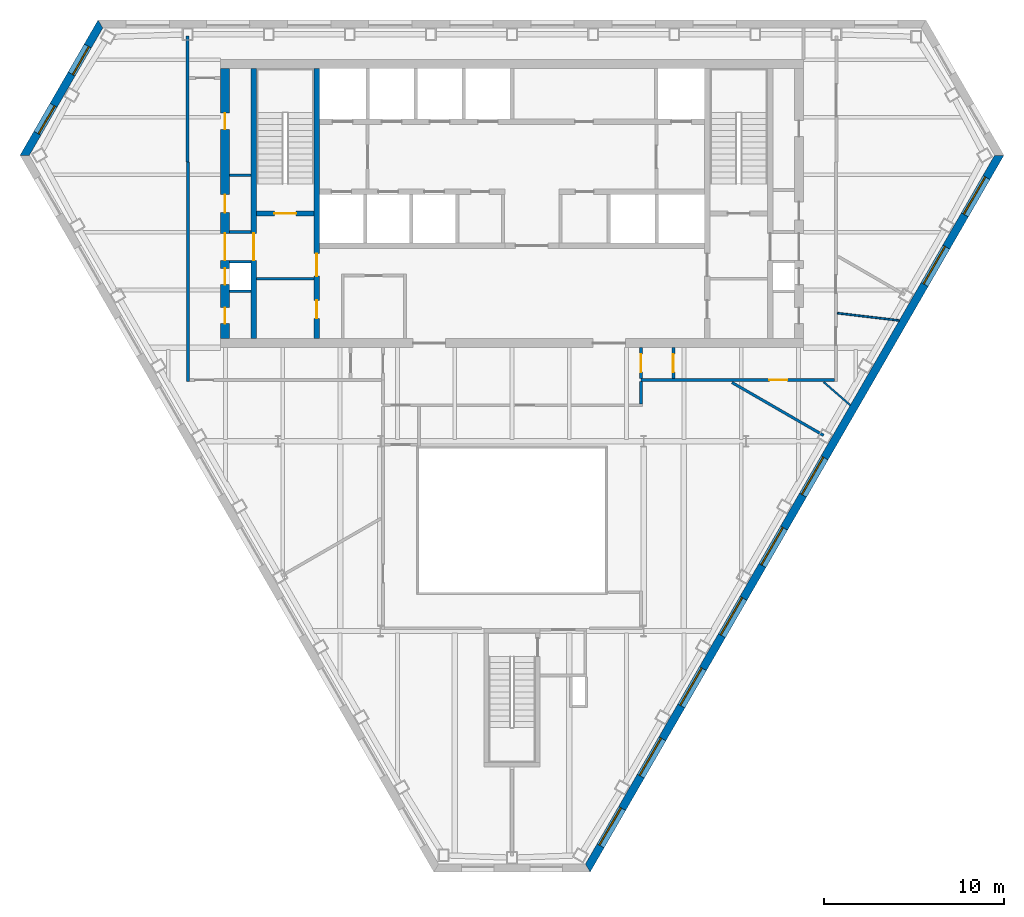
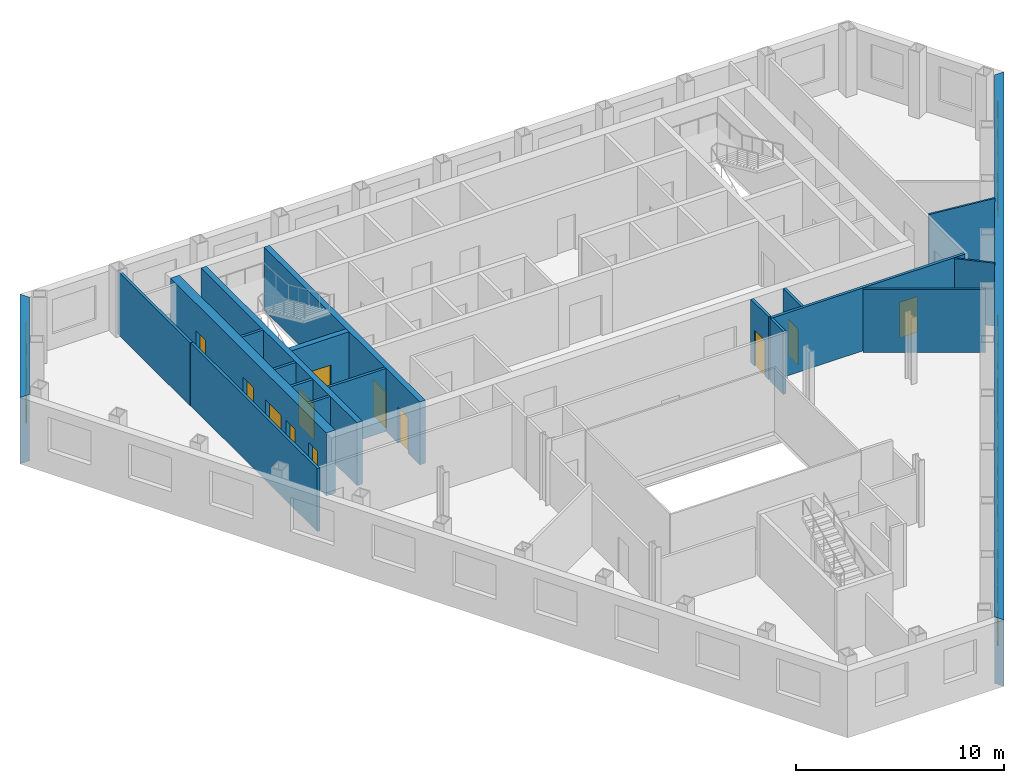
# One storey, part 5 of 10: 20 walls, 12 doors, 10 windows, 22 openings.
"""IFC4 building model written with IfcOpenShell, lengths in metres."""

from ifc_helpers import new_model, si_unit, direction, frame, frame_2d, origin, place, context, subcontext, project, spatial, polyline, rectangle, outline, extrude, material, layer, layer_set, type_object, element, fill, save


model = new_model("IFC4")

# Units and contexts
model_context = context("Model", 3, precision=1e-05, world=origin(), true_north=direction((0.0, 1.0)))
body_context = subcontext(model_context, "Body", "Model", "MODEL_VIEW")
ifc_project = project(units=[si_unit("LENGTHUNIT", "METRE"), si_unit("AREAUNIT", "SQUARE_METRE"), si_unit("VOLUMEUNIT", "CUBIC_METRE"), si_unit("PLANEANGLEUNIT", "RADIAN"), si_unit("MASSUNIT", "GRAM", prefix="KILO")], contexts=[model_context])

# Site, building, storey
site_placement = place(None, origin())
site = spatial("IfcSite", under=ifc_project, at=site_placement, CompositionType="ELEMENT")
building_placement = place(site_placement, origin())
building = spatial("IfcBuilding", under=site, at=building_placement, Name="Njiva Tower", CompositionType="ELEMENT")
storey_placement = place(building_placement, frame((0.0, 0.0, 155.4)))
storey = spatial("IfcBuildingStorey", under=building, at=storey_placement, Name="L33", CompositionType="ELEMENT", Elevation=155.4)

# Walls
ifc_material_1 = material(Name="Blockwork", Category="masonry")
ifc_layer_1 = layer(ifc_material_1, 0.15)
ifc_layer_set_1 = layer_set([ifc_layer_1], Name="Blockwork")
wall_type_1 = type_object("IfcWallType", Name="WT1 Compartment partition 150", PredefinedType="PARTITIONING", material=ifc_layer_set_1)
wall_1_placement = place(storey_placement, frame((-14.2, 5.825, 0.0), z_axis=(0.0, 0.0, 1.0), x_axis=(1.0, 0.0, 0.0)))
element("IfcWall", 1, at=wall_1_placement, inside=storey, type_object=wall_type_1, Name="Room wall A", PredefinedType="PARTITIONING", context=body_context, shape_type="SweptSolid", body=[
    extrude(rectangle(XDim=3.2, YDim=0.15, at=frame_2d((1.6, 0.0))), origin(), (0.0, 0.0, 1.0), 3.7),
])
wall_2_placement = place(storey_placement, frame((-15.7, 11.5687, 0.0), z_axis=(0.0, 0.0, 1.0), x_axis=(1.0, 0.0, 0.0)))
element("IfcWall", 2, at=wall_2_placement, inside=storey, type_object=wall_type_1, Name="Partition strip W10", PredefinedType="PARTITIONING", context=body_context, shape_type="SweptSolid", body=[
    extrude(rectangle(XDim=1.2, YDim=0.15, at=frame_2d((0.6, 0.0))), origin(), (0.0, 0.0, 1.0), 3.7),
])

# Wall, openings, doors
ifc_material_2 = material(Name="Concrete C40/50", Category="concrete")
ifc_layer_2 = layer(ifc_material_2, 0.3)
ifc_layer_set_2 = layer_set([ifc_layer_2], Name="Concrete C40/50")
wall_type_2 = type_object("IfcWallType", Name="WT10 Stair enclosure wall 300", PredefinedType="SHEAR", material=ifc_layer_set_2)
wall_3_placement = place(storey_placement, frame((-10.85, 2.5, 0.0), z_axis=(0.0, 0.0, 1.0), x_axis=(0.0, 1.0, 0.0)))
wall_3 = element("IfcWall", 3, at=wall_3_placement, inside=storey, type_object=wall_type_2, Name="Stair wall west inner", PredefinedType="SHEAR", context=body_context, shape_type="SweptSolid", body=[
    extrude(rectangle(XDim=15.0, YDim=0.3, at=frame_2d((7.5, 0.0))), origin(), (0.0, 0.0, 1.0), 3.7),
])
opening_1_placement = place(wall_3_placement, frame((3.475, 0.0, 0.0)))
opening_1 = element("IfcOpeningElement", 4, at=opening_1_placement, cuts=wall_3, Name="Opening S11-D914", PredefinedType="OPENING", context=body_context, shape_type="SweptSolid", body=[
    extrude(rectangle(XDim=1.25, YDim=2.1, at=frame_2d((0.625, 1.05))), frame((0.0, 0.16, 0.0), z_axis=(0.0, -1.0, 0.0), x_axis=(1.0, 0.0, 0.0)), (0.0, 0.0, 1.0), 0.32),
])
opening_2_placement = place(wall_3_placement, frame((1.125, 0.0, 0.0)))
opening_2 = element("IfcOpeningElement", 5, at=opening_2_placement, cuts=wall_3, Name="Opening S11-D915", PredefinedType="OPENING", context=body_context, shape_type="SweptSolid", body=[
    extrude(rectangle(XDim=1.0, YDim=2.1, at=frame_2d((0.5, 1.05))), frame((0.0, 0.16, 0.0), z_axis=(0.0, -1.0, 0.0), x_axis=(1.0, 0.0, 0.0)), (0.0, 0.0, 1.0), 0.32),
])
ifc_material_3 = material(Name="Steel door, painted", Category="steel")
door_type_1 = type_object("IfcDoorType", Name="D5 Steel door 1000x2100", OperationType="SINGLE_SWING_LEFT", PredefinedType="DOOR", material=ifc_material_3)
door_1_placement = place(opening_2_placement, origin())
door_1 = element("IfcDoor", 6, at=door_1_placement, inside=storey, type_object=door_type_1, Name="Breakout room door", OperationType="SINGLE_SWING_RIGHT", OverallHeight=2.1, OverallWidth=1.0, PredefinedType="DOOR", context=body_context, shape_type="SweptSolid", body=[
    extrude(rectangle(XDim=1.0, YDim=2.1, at=frame_2d((0.5, 1.05))), frame((0.0, 0.025, 0.0), z_axis=(0.0, -1.0, 0.0), x_axis=(1.0, 0.0, 0.0)), (0.0, 0.0, 1.0), 0.05),
])
fill(opening_2, door_1)
ifc_material_4 = material(Name="Glazed steel fire door", Category="steel")
door_type_2 = type_object("IfcDoorType", Name="D8 Vestibule corridor door 1250x2100 glazed", OperationType="SINGLE_SWING_LEFT", PredefinedType="DOOR", material=ifc_material_4)
door_2_placement = place(opening_1_placement, origin())
door_2 = element("IfcDoor", 7, at=door_2_placement, inside=storey, type_object=door_type_2, Name="Stair vestibule corridor door", OperationType="SINGLE_SWING_LEFT", OverallHeight=2.1, OverallWidth=1.25, PredefinedType="DOOR", context=body_context, shape_type="SweptSolid", body=[
    extrude(rectangle(XDim=1.25, YDim=2.1, at=frame_2d((0.625, 1.05))), frame((0.0, 0.025, 0.0), z_axis=(0.0, -1.0, 0.0), x_axis=(1.0, 0.0, 0.0)), (0.0, 0.0, 1.0), 0.05),
])
fill(opening_1, door_2)

# Wall, opening, door
wall_4_placement = place(storey_placement, frame((-14.35, 2.5, 0.0), z_axis=(0.0, 0.0, 1.0), x_axis=(0.0, 1.0, 0.0)))
wall_4 = element("IfcWall", 8, at=wall_4_placement, inside=storey, type_object=wall_type_2, Name="Stair wall west outer", PredefinedType="SHEAR", context=body_context, shape_type="SweptSolid", body=[
    extrude(rectangle(XDim=15.0, YDim=0.3, at=frame_2d((7.5, 0.0))), origin(), (0.0, 0.0, 1.0), 3.7),
])
opening_3_placement = place(wall_4_placement, frame((4.35, 0.0, 0.0)))
opening_3 = element("IfcOpeningElement", 9, at=opening_3_placement, cuts=wall_4, Name="Opening S11-D920", PredefinedType="OPENING", context=body_context, shape_type="SweptSolid", body=[
    extrude(rectangle(XDim=1.5, YDim=2.1, at=frame_2d((0.75, 1.05))), frame((0.0, 0.16, 0.0), z_axis=(0.0, -1.0, 0.0), x_axis=(1.0, 0.0, 0.0)), (0.0, 0.0, 1.0), 0.32),
])
door_type_3 = type_object("IfcDoorType", Name="D10 Exit door double 1500x2100 glazed", OperationType="DOUBLE_DOOR_SINGLE_SWING", PredefinedType="DOOR", material=ifc_material_4)
door_3_placement = place(opening_3_placement, origin())
door_3 = element("IfcDoor", 10, at=door_3_placement, inside=storey, type_object=door_type_3, Name="Stair A passage door", OperationType="DOUBLE_DOOR_SINGLE_SWING", OverallHeight=2.1, OverallWidth=1.5, PredefinedType="DOOR", context=body_context, shape_type="SweptSolid", body=[
    extrude(rectangle(XDim=1.5, YDim=2.1, at=frame_2d((0.75, 1.05))), frame((0.0, 0.025, 0.0), z_axis=(0.0, -1.0, 0.0), x_axis=(1.0, 0.0, 0.0)), (0.0, 0.0, 1.0), 0.05),
])
fill(opening_3, door_3)

wall_5_placement = place(storey_placement, frame((-14.2, 9.45, 0.0), z_axis=(0.0, 0.0, 1.0), x_axis=(1.0, 0.0, 0.0)))
wall_5 = element("IfcWall", 11, at=wall_5_placement, inside=storey, type_object=wall_type_2, Name="Stair A south wall", PredefinedType="SHEAR", context=body_context, shape_type="SweptSolid", body=[
    extrude(rectangle(XDim=3.2, YDim=0.3, at=frame_2d((1.6, 0.0))), origin(), (0.0, 0.0, 1.0), 3.7),
])
opening_4_placement = place(wall_5_placement, frame((1.0, 0.0, 0.0)))
opening_4 = element("IfcOpeningElement", 12, at=opening_4_placement, cuts=wall_5, Name="Opening S11-D913", PredefinedType="OPENING", context=body_context, shape_type="SweptSolid", body=[
    extrude(rectangle(XDim=1.2, YDim=2.1, at=frame_2d((0.6, 1.05))), frame((0.0, 0.16, 0.0), z_axis=(0.0, -1.0, 0.0), x_axis=(1.0, 0.0, 0.0)), (0.0, 0.0, 1.0), 0.32),
])
door_type_4 = type_object("IfcDoorType", Name="D7 Stair vestibule door 1200x2100 glazed", OperationType="SINGLE_SWING_LEFT", PredefinedType="DOOR", material=ifc_material_4)
door_4_placement = place(opening_4_placement, origin())
door_4 = element("IfcDoor", 13, at=door_4_placement, inside=storey, type_object=door_type_4, Name="Stair A door", OperationType="SINGLE_SWING_LEFT", OverallHeight=2.1, OverallWidth=1.2, PredefinedType="DOOR", context=body_context, shape_type="SweptSolid", body=[
    extrude(rectangle(XDim=1.2, YDim=2.1, at=frame_2d((0.6, 1.05))), frame((0.0, 0.025, 0.0), z_axis=(0.0, -1.0, 0.0), x_axis=(1.0, 0.0, 0.0)), (0.0, 0.0, 1.0), 0.05),
])
fill(opening_4, door_4)

# Wall, openings, doors
ifc_material_5 = material(Name="Concrete C60/75", Category="concrete")
ifc_layer_3 = layer(ifc_material_5, 0.5)
ifc_layer_set_3 = layer_set([ifc_layer_3], Name="Concrete C60/75")
wall_type_3 = type_object("IfcWallType", Name="WT13 Core wall 500", PredefinedType="SHEAR", material=ifc_layer_set_3)
wall_6_placement = place(storey_placement, frame((-15.95, 2.5, 0.0), z_axis=(0.0, 0.0, 1.0), x_axis=(0.0, 1.0, 0.0)))
wall_6 = element("IfcWall", 14, at=wall_6_placement, inside=storey, type_object=wall_type_3, Name="Core wall west", PredefinedType="SHEAR", context=body_context, shape_type="SweptSolid", body=[
    extrude(rectangle(XDim=15.0, YDim=0.5, at=frame_2d((7.5, 0.0))), origin(), (0.0, 0.0, 1.0), 3.7),
])
opening_5_placement = place(wall_6_placement, frame((4.35, 0.0, 0.0)))
opening_5 = element("IfcOpeningElement", 15, at=opening_5_placement, cuts=wall_6, Name="Opening S11-D921", PredefinedType="OPENING", context=body_context, shape_type="SweptSolid", body=[
    extrude(rectangle(XDim=1.5, YDim=2.1, at=frame_2d((0.75, 1.05))), frame((0.0, 0.26, 0.0), z_axis=(0.0, -1.0, 0.0), x_axis=(1.0, 0.0, 0.0)), (0.0, 0.0, 1.0), 0.52),
])
opening_6_placement = place(wall_6_placement, frame((0.825, 0.0, 0.0)))
opening_6 = element("IfcOpeningElement", 16, at=opening_6_placement, cuts=wall_6, Name="Opening S11-D922", PredefinedType="OPENING", context=body_context, shape_type="SweptSolid", body=[
    extrude(rectangle(XDim=0.9, YDim=2.1, at=frame_2d((0.45, 1.05))), frame((0.0, 0.26, 0.0), z_axis=(0.0, -1.0, 0.0), x_axis=(1.0, 0.0, 0.0)), (0.0, 0.0, 1.0), 0.52),
])
opening_7_placement = place(wall_6_placement, frame((3.0, 0.0, 0.0)))
opening_7 = element("IfcOpeningElement", 17, at=opening_7_placement, cuts=wall_6, Name="Opening S11-D923", PredefinedType="OPENING", context=body_context, shape_type="SweptSolid", body=[
    extrude(rectangle(XDim=0.9, YDim=2.1, at=frame_2d((0.45, 1.05))), frame((0.0, 0.26, 0.0), z_axis=(0.0, -1.0, 0.0), x_axis=(1.0, 0.0, 0.0)), (0.0, 0.0, 1.0), 0.52),
])
opening_8_placement = place(wall_6_placement, frame((6.9969, 0.0, 0.0)))
opening_8 = element("IfcOpeningElement", 18, at=opening_8_placement, cuts=wall_6, Name="Opening S11-D924", PredefinedType="OPENING", context=body_context, shape_type="SweptSolid", body=[
    extrude(rectangle(XDim=1.0, YDim=2.1, at=frame_2d((0.5, 1.05))), frame((0.0, 0.26, 0.0), z_axis=(0.0, -1.0, 0.0), x_axis=(1.0, 0.0, 0.0)), (0.0, 0.0, 1.0), 0.52),
])
opening_9_placement = place(wall_6_placement, frame((11.6219, 0.0, 0.0)))
opening_9 = element("IfcOpeningElement", 19, at=opening_9_placement, cuts=wall_6, Name="Opening S11-D925", PredefinedType="OPENING", context=body_context, shape_type="SweptSolid", body=[
    extrude(rectangle(XDim=0.9, YDim=2.1, at=frame_2d((0.45, 1.05))), frame((0.0, 0.26, 0.0), z_axis=(0.0, -1.0, 0.0), x_axis=(1.0, 0.0, 0.0)), (0.0, 0.0, 1.0), 0.52),
])
door_5_placement = place(opening_5_placement, origin())
door_5 = element("IfcDoor", 20, at=door_5_placement, inside=storey, type_object=door_type_3, Name="Stair A corridor door", OperationType="DOUBLE_DOOR_SINGLE_SWING", OverallHeight=2.1, OverallWidth=1.5, PredefinedType="DOOR", context=body_context, shape_type="SweptSolid", body=[
    extrude(rectangle(XDim=1.5, YDim=2.1, at=frame_2d((0.75, 1.05))), frame((0.0, 0.025, 0.0), z_axis=(0.0, -1.0, 0.0), x_axis=(1.0, 0.0, 0.0)), (0.0, 0.0, 1.0), 0.05),
])
fill(opening_5, door_5)
door_type_5 = type_object("IfcDoorType", Name="D4 Riser door 900x2100", OperationType="SINGLE_SWING_LEFT", PredefinedType="DOOR", material=ifc_material_3)
door_6_placement = place(opening_7_placement, origin())
door_6 = element("IfcDoor", 21, at=door_6_placement, inside=storey, type_object=door_type_5, Name="Cable riser door", OperationType="SINGLE_SWING_RIGHT", OverallHeight=2.1, OverallWidth=0.9, PredefinedType="DOOR", context=body_context, shape_type="SweptSolid", body=[
    extrude(rectangle(XDim=0.9, YDim=2.1, at=frame_2d((0.45, 1.05))), frame((0.0, 0.025, 0.0), z_axis=(0.0, -1.0, 0.0), x_axis=(1.0, 0.0, 0.0)), (0.0, 0.0, 1.0), 0.05),
])
fill(opening_7, door_6)
door_7_placement = place(opening_8_placement, origin())
door_7 = element("IfcDoor", 22, at=door_7_placement, inside=storey, type_object=door_type_1, Name="Electrical room door", OperationType="SINGLE_SWING_RIGHT", OverallHeight=2.1, OverallWidth=1.0, PredefinedType="DOOR", context=body_context, shape_type="SweptSolid", body=[
    extrude(rectangle(XDim=1.0, YDim=2.1, at=frame_2d((0.5, 1.05))), frame((0.0, 0.025, 0.0), z_axis=(0.0, -1.0, 0.0), x_axis=(1.0, 0.0, 0.0)), (0.0, 0.0, 1.0), 0.05),
])
fill(opening_8, door_7)
ifc_material_6 = material(Name="Steel fire door, painted", Category="steel")
door_type_6 = type_object("IfcDoorType", Name="D6 Fire-rated door 900x2100", OperationType="SINGLE_SWING_LEFT", PredefinedType="DOOR", material=ifc_material_6)
door_8_placement = place(opening_6_placement, origin())
door_8 = element("IfcDoor", 23, at=door_8_placement, inside=storey, type_object=door_type_6, Name="Cable store door", OperationType="SINGLE_SWING_RIGHT", OverallHeight=2.1, OverallWidth=0.9, PredefinedType="DOOR", context=body_context, shape_type="SweptSolid", body=[
    extrude(rectangle(XDim=0.9, YDim=2.1, at=frame_2d((0.45, 1.05))), frame((0.0, 0.025, 0.0), z_axis=(0.0, -1.0, 0.0), x_axis=(1.0, 0.0, 0.0)), (0.0, 0.0, 1.0), 0.05),
])
fill(opening_6, door_8)
door_9_placement = place(opening_9_placement, origin())
door_9 = element("IfcDoor", 24, at=door_9_placement, inside=storey, type_object=door_type_6, Name="Cable store door", OperationType="SINGLE_SWING_LEFT", OverallHeight=2.1, OverallWidth=0.9, PredefinedType="DOOR", context=body_context, shape_type="SweptSolid", body=[
    extrude(rectangle(XDim=0.9, YDim=2.1, at=frame_2d((0.45, 1.05))), frame((0.0, 0.025, 0.0), z_axis=(0.0, -1.0, 0.0), x_axis=(1.0, 0.0, 0.0)), (0.0, 0.0, 1.0), 0.05),
])
fill(opening_9, door_9)

# Walls
ifc_material_7 = material(Name="Gypsum board on steel studs", Category="gypsum")
ifc_layer_4 = layer(ifc_material_7, 0.1)
ifc_layer_set_4 = layer_set([ifc_layer_4], Name="Gypsum board on steel studs")
wall_type_4 = type_object("IfcWallType", Name="WT20 Gypsum partition 100", PredefinedType="PARTITIONING", material=ifc_layer_set_4)
wall_7_placement = place(storey_placement, frame((17.315, 0.087, 0.0), z_axis=(0.0, 0.0, 1.0), x_axis=(0.754244081951, -0.656594140121, 0.0)))
element("IfcWall", 25, at=wall_7_placement, inside=storey, type_object=wall_type_4, Name="Partition S11-P024", PredefinedType="PARTITIONING", context=body_context, shape_type="SweptSolid", body=[
    extrude(rectangle(XDim=1.9662, YDim=0.1, at=frame_2d((0.9831, 0.0))), origin(), (0.0, 0.0, 1.0), 3.7),
])
wall_8_placement = place(storey_placement, frame((18.081, 3.913, 0.0), z_axis=(0.0, 0.0, 1.0), x_axis=(0.993015725956, -0.11798206645, 0.0)))
element("IfcWall", 26, at=wall_8_placement, inside=storey, type_object=wall_type_4, Name="Partition S11-P027", PredefinedType="PARTITIONING", context=body_context, shape_type="SweptSolid", body=[
    extrude(rectangle(XDim=3.4582, YDim=0.1, at=frame_2d((1.7291, 0.0))), origin(), (0.0, 0.0, 1.0), 3.7),
])
ifc_layer_5 = layer(ifc_material_7, 0.15)
ifc_layer_set_5 = layer_set([ifc_layer_5], Name="Gypsum board on steel studs")
wall_type_5 = type_object("IfcWallType", Name="WT21 Compartment wall 150", PredefinedType="PARTITIONING", material=ifc_layer_set_5)
wall_9_placement = place(storey_placement, frame((-18.027, 12.321, 0.0), z_axis=(0.0, 0.0, 1.0), x_axis=(0.0, 1.0, 0.0)))
element("IfcWall", 27, at=wall_9_placement, inside=storey, type_object=wall_type_5, Name="Partition S11-P001", PredefinedType="PARTITIONING", context=body_context, shape_type="SweptSolid", body=[
    extrude(rectangle(XDim=6.979, YDim=0.15, at=frame_2d((3.4895, 0.0))), origin(), (0.0, 0.0, 1.0), 3.7),
])
wall_10_placement = place(storey_placement, frame((-18.0, 0.125, 0.0), z_axis=(0.0, 0.0, 1.0), x_axis=(0.0, 1.0, 0.0)))
element("IfcWall", 28, at=wall_10_placement, inside=storey, type_object=wall_type_5, Name="Partition S11-P002", PredefinedType="PARTITIONING", context=body_context, shape_type="SweptSolid", body=[
    extrude(rectangle(XDim=12.18, YDim=0.15, at=frame_2d((6.09, 0.0))), origin(), (0.0, 0.0, 1.0), 3.7),
])
wall_11_placement = place(storey_placement, frame((7.17, -1.125, 0.0), z_axis=(0.0, 0.0, 1.0), x_axis=(0.0, 1.0, 0.0)))
element("IfcWall", 29, at=wall_11_placement, inside=storey, type_object=wall_type_5, Name="Partition S11-P018", PredefinedType="PARTITIONING", context=body_context, shape_type="SweptSolid", body=[
    extrude(rectangle(XDim=1.25, YDim=0.15, at=frame_2d((0.625, 0.0))), origin(), (0.0, 0.0, 1.0), 3.7),
])

# Wall, opening, door
wall_12_placement = place(storey_placement, frame((7.17, 0.2, 0.0), z_axis=(0.0, 0.0, 1.0), x_axis=(1.0, 0.0, 0.0)))
wall_12 = element("IfcWall", 30, at=wall_12_placement, inside=storey, type_object=wall_type_5, Name="Partition S11-P019", PredefinedType="PARTITIONING", context=body_context, shape_type="SweptSolid", body=[
    extrude(rectangle(XDim=10.755, YDim=0.15, at=frame_2d((5.3775, 0.0))), origin(), (0.0, 0.0, 1.0), 3.7),
])
opening_10_placement = place(wall_12_placement, frame((7.134, 0.0, 0.0)))
opening_10 = element("IfcOpeningElement", 31, at=opening_10_placement, cuts=wall_12, Name="Opening S11-D009", PredefinedType="OPENING", context=body_context, shape_type="SweptSolid", body=[
    extrude(rectangle(XDim=1.0, YDim=2.1, at=frame_2d((0.5, 1.05))), frame((0.0, 0.085, 0.0), z_axis=(0.0, -1.0, 0.0), x_axis=(1.0, 0.0, 0.0)), (0.0, 0.0, 1.0), 0.17),
])
ifc_material_8 = material(Name="Steel fire door set", Category="steel")
door_type_7 = type_object("IfcDoorType", Name="D37 Fire door 1000x2100", OperationType="SINGLE_SWING_LEFT", PredefinedType="DOOR", material=ifc_material_8)
door_10_placement = place(opening_10_placement, origin())
door_10 = element("IfcDoor", 32, at=door_10_placement, inside=storey, type_object=door_type_7, Name="Door S11-D009", OperationType="SINGLE_SWING_RIGHT", OverallHeight=2.1, OverallWidth=1.0, PredefinedType="DOOR", context=body_context, shape_type="SweptSolid", body=[
    extrude(rectangle(XDim=1.0, YDim=2.1, at=frame_2d((0.5, 1.05))), frame((0.0, 0.025, 0.0), z_axis=(0.0, -1.0, 0.0), x_axis=(1.0, 0.0, 0.0)), (0.0, 0.0, 1.0), 0.05),
])
fill(opening_10, door_10)

wall_13_placement = place(storey_placement, frame((7.17, 0.275, 0.0), z_axis=(0.0, 0.0, 1.0), x_axis=(0.0, 1.0, 0.0)))
wall_13 = element("IfcWall", 33, at=wall_13_placement, inside=storey, type_object=wall_type_5, Name="Partition S11-P020", PredefinedType="PARTITIONING", context=body_context, shape_type="SweptSolid", body=[
    extrude(rectangle(XDim=1.725, YDim=0.15, at=frame_2d((0.8625, 0.0))), origin(), (0.0, 0.0, 1.0), 3.7),
])
opening_11_placement = place(wall_13_placement, frame((0.362, 0.0, 0.0)))
opening_11 = element("IfcOpeningElement", 34, at=opening_11_placement, cuts=wall_13, Name="Opening S11-D010", PredefinedType="OPENING", context=body_context, shape_type="SweptSolid", body=[
    extrude(rectangle(XDim=1.0, YDim=2.1, at=frame_2d((0.5, 1.05))), frame((0.0, 0.085, 0.0), z_axis=(0.0, -1.0, 0.0), x_axis=(1.0, 0.0, 0.0)), (0.0, 0.0, 1.0), 0.17),
])
door_11_placement = place(opening_11_placement, origin())
door_11 = element("IfcDoor", 35, at=door_11_placement, inside=storey, type_object=door_type_7, Name="Door S11-D010", OperationType="SINGLE_SWING_LEFT", OverallHeight=2.1, OverallWidth=1.0, PredefinedType="DOOR", context=body_context, shape_type="SweptSolid", body=[
    extrude(rectangle(XDim=1.0, YDim=2.1, at=frame_2d((0.5, 1.05))), frame((0.0, 0.025, 0.0), z_axis=(0.0, -1.0, 0.0), x_axis=(1.0, 0.0, 0.0)), (0.0, 0.0, 1.0), 0.05),
])
fill(opening_11, door_11)

wall_14_placement = place(storey_placement, frame((8.97, 0.275, 0.0), z_axis=(0.0, 0.0, 1.0), x_axis=(0.0, 1.0, 0.0)))
wall_14 = element("IfcWall", 36, at=wall_14_placement, inside=storey, type_object=wall_type_5, Name="Partition S11-P021", PredefinedType="PARTITIONING", context=body_context, shape_type="SweptSolid", body=[
    extrude(rectangle(XDim=1.725, YDim=0.15, at=frame_2d((0.8625, 0.0))), origin(), (0.0, 0.0, 1.0), 3.7),
])
opening_12_placement = place(wall_14_placement, frame((0.363, 0.0, 0.0)))
opening_12 = element("IfcOpeningElement", 37, at=opening_12_placement, cuts=wall_14, Name="Opening S11-D011", PredefinedType="OPENING", context=body_context, shape_type="SweptSolid", body=[
    extrude(rectangle(XDim=1.0, YDim=2.1, at=frame_2d((0.5, 1.05))), frame((0.0, 0.085, 0.0), z_axis=(0.0, -1.0, 0.0), x_axis=(1.0, 0.0, 0.0)), (0.0, 0.0, 1.0), 0.17),
])
door_12_placement = place(opening_12_placement, origin())
door_12 = element("IfcDoor", 38, at=door_12_placement, inside=storey, type_object=door_type_7, Name="Door S11-D011", OperationType="SINGLE_SWING_RIGHT", OverallHeight=2.1, OverallWidth=1.0, PredefinedType="DOOR", context=body_context, shape_type="SweptSolid", body=[
    extrude(rectangle(XDim=1.0, YDim=2.1, at=frame_2d((0.5, 1.05))), frame((0.0, 0.025, 0.0), z_axis=(0.0, -1.0, 0.0), x_axis=(1.0, 0.0, 0.0)), (0.0, 0.0, 1.0), 0.05),
])
fill(opening_12, door_12)

# Walls
wall_15_placement = place(storey_placement, frame((12.222, 0.06, 0.0), z_axis=(0.0, 0.0, 1.0), x_axis=(0.866077922096, -0.499909024581, 0.0)))
element("IfcWall", 39, at=wall_15_placement, inside=storey, type_object=wall_type_5, Name="Partition S11-P022", PredefinedType="PARTITIONING", context=body_context, shape_type="SweptSolid", body=[
    extrude(rectangle(XDim=5.8771, YDim=0.15, at=frame_2d((2.9386, 0.0))), origin(), (0.0, 0.0, 1.0), 3.7),
])
ifc_layer_6 = layer(ifc_material_1, 0.15)
ifc_layer_set_6 = layer_set([ifc_layer_6], Name="Blockwork")
wall_type_6 = type_object("IfcWallType", Name="WT3 Riser partition 150", PredefinedType="PARTITIONING", material=ifc_layer_set_6)
wall_16_placement = place(storey_placement, frame((-15.7, 5.125, 0.0), z_axis=(0.0, 0.0, 1.0), x_axis=(1.0, 0.0, 0.0)))
element("IfcWall", 40, at=wall_16_placement, inside=storey, type_object=wall_type_6, Name="Partition strip W00", PredefinedType="PARTITIONING", context=body_context, shape_type="SweptSolid", body=[
    extrude(rectangle(XDim=1.2, YDim=0.15, at=frame_2d((0.6, 0.0))), origin(), (0.0, 0.0, 1.0), 3.7),
])
ifc_layer_7 = layer(ifc_material_1, 0.15)
ifc_layer_set_7 = layer_set([ifc_layer_7], Name="Blockwork")
wall_type_7 = type_object("IfcWallType", Name="WT4 Stair partition 150", PredefinedType="PARTITIONING", material=ifc_layer_set_7)
for number, where, z_axis, x_axis, name in (
    (41, (-15.7, 6.775, 0.0), (0.0, 0.0, 1.0), (1.0, 0.0, 0.0), "Stair A exit passage wall south"),
    (42, (-15.7, 8.425, 0.0), (0.0, 0.0, 1.0), (1.0, 0.0, 0.0), "Stair A exit passage wall north"),
):
    element("IfcWall", number, at=place(storey_placement, frame(where, z_axis=z_axis, x_axis=x_axis)), inside=storey, type_object=wall_type_7, Name=name, PredefinedType="PARTITIONING", context=body_context, shape_type="SweptSolid", body=[
        extrude(rectangle(XDim=1.2, YDim=0.15, at=frame_2d((0.6, 0.0))), origin(), (0.0, 0.0, 1.0), 3.7),
    ])

# Wall, openings, windows
ifc_material_9 = material(Name="Brick masonry", Category="masonry")
ifc_layer_8 = layer(ifc_material_9, 0.45)
ifc_layer_set_8 = layer_set([ifc_layer_8], Name="Brick masonry")
wall_type_8 = type_object("IfcWallType", Name="WT90 Brick pier and spandrel wall 450", PredefinedType="SOLIDWALL", material=ifc_layer_set_8)
wall_17_placement = place(storey_placement, frame((4.2101, -26.9206, -0.4), z_axis=(0.0, 0.0, 1.0), x_axis=(0.500000141277, 0.866025322218, 0.0)))
wall_17 = element("IfcWall", 43, at=wall_17_placement, inside=storey, type_object=wall_type_8, Name="Facade wall SE", PredefinedType="SOLIDWALL", context=body_context, shape_type="SweptSolid", body=[
    extrude(outline(polyline([(-0.1299, -0.225), (45.8601, -0.225), (45.6003, 0.225), (0.1299, 0.225), (-0.1299, -0.225)])), origin(), (0.0, 0.0, 1.0), 3.9),
])
opening_13_placement = place(wall_17_placement, frame((1.4237, 0.0, 1.3)))
opening_13 = element("IfcOpeningElement", 44, at=opening_13_placement, cuts=wall_17, Name="Opening S11-W24", PredefinedType="OPENING", context=body_context, shape_type="SweptSolid", body=[
    extrude(rectangle(XDim=2.4, YDim=2.0, at=frame_2d((1.2, 1.0))), frame((0.0, 0.235, 0.0), z_axis=(0.0, -1.0, 0.0), x_axis=(1.0, 0.0, 0.0)), (0.0, 0.0, 1.0), 0.47),
])
opening_14_placement = place(wall_17_placement, frame((5.8919, 0.0, 1.3)))
opening_14 = element("IfcOpeningElement", 45, at=opening_14_placement, cuts=wall_17, Name="Opening S11-W25", PredefinedType="OPENING", context=body_context, shape_type="SweptSolid", body=[
    extrude(rectangle(XDim=2.4, YDim=2.0, at=frame_2d((1.2, 1.0))), frame((0.0, 0.235, 0.0), z_axis=(0.0, -1.0, 0.0), x_axis=(1.0, 0.0, 0.0)), (0.0, 0.0, 1.0), 0.47),
])
opening_15_placement = place(wall_17_placement, frame((10.3985, 0.0, 1.3)))
opening_15 = element("IfcOpeningElement", 46, at=opening_15_placement, cuts=wall_17, Name="Opening S11-W26", PredefinedType="OPENING", context=body_context, shape_type="SweptSolid", body=[
    extrude(rectangle(XDim=2.4, YDim=2.0, at=frame_2d((1.2, 1.0))), frame((0.0, 0.235, 0.0), z_axis=(0.0, -1.0, 0.0), x_axis=(1.0, 0.0, 0.0)), (0.0, 0.0, 1.0), 0.47),
])
opening_16_placement = place(wall_17_placement, frame((14.9052, 0.0, 1.3)))
opening_16 = element("IfcOpeningElement", 47, at=opening_16_placement, cuts=wall_17, Name="Opening S11-W27", PredefinedType="OPENING", context=body_context, shape_type="SweptSolid", body=[
    extrude(rectangle(XDim=2.4, YDim=2.0, at=frame_2d((1.2, 1.0))), frame((0.0, 0.235, 0.0), z_axis=(0.0, -1.0, 0.0), x_axis=(1.0, 0.0, 0.0)), (0.0, 0.0, 1.0), 0.47),
])
opening_17_placement = place(wall_17_placement, frame((19.4118, 0.0, 1.3)))
opening_17 = element("IfcOpeningElement", 48, at=opening_17_placement, cuts=wall_17, Name="Opening S11-W28", PredefinedType="OPENING", context=body_context, shape_type="SweptSolid", body=[
    extrude(rectangle(XDim=2.4, YDim=2.0, at=frame_2d((1.2, 1.0))), frame((0.0, 0.235, 0.0), z_axis=(0.0, -1.0, 0.0), x_axis=(1.0, 0.0, 0.0)), (0.0, 0.0, 1.0), 0.47),
])
opening_18_placement = place(wall_17_placement, frame((23.9184, 0.0, 1.3)))
opening_18 = element("IfcOpeningElement", 49, at=opening_18_placement, cuts=wall_17, Name="Opening S11-W29", PredefinedType="OPENING", context=body_context, shape_type="SweptSolid", body=[
    extrude(rectangle(XDim=2.4, YDim=2.0, at=frame_2d((1.2, 1.0))), frame((0.0, 0.235, 0.0), z_axis=(0.0, -1.0, 0.0), x_axis=(1.0, 0.0, 0.0)), (0.0, 0.0, 1.0), 0.47),
])
opening_19_placement = place(wall_17_placement, frame((37.4383, 0.0, 1.3)))
opening_19 = element("IfcOpeningElement", 50, at=opening_19_placement, cuts=wall_17, Name="Opening S11-W30", PredefinedType="OPENING", context=body_context, shape_type="SweptSolid", body=[
    extrude(rectangle(XDim=2.4, YDim=2.0, at=frame_2d((1.2, 1.0))), frame((0.0, 0.235, 0.0), z_axis=(0.0, -1.0, 0.0), x_axis=(1.0, 0.0, 0.0)), (0.0, 0.0, 1.0), 0.47),
])
opening_20_placement = place(wall_17_placement, frame((41.9065, 0.0, 1.3)))
opening_20 = element("IfcOpeningElement", 51, at=opening_20_placement, cuts=wall_17, Name="Opening S11-W31", PredefinedType="OPENING", context=body_context, shape_type="SweptSolid", body=[
    extrude(rectangle(XDim=2.4, YDim=2.0, at=frame_2d((1.2, 1.0))), frame((0.0, 0.235, 0.0), z_axis=(0.0, -1.0, 0.0), x_axis=(1.0, 0.0, 0.0)), (0.0, 0.0, 1.0), 0.47),
])
ifc_material_10 = material(Name="Clear glazing in aluminium frame", Category="aluminium")
window_type_1 = type_object("IfcWindowType", Name="W90 Deep-set window 2400x2000", PartitioningType="SINGLE_PANEL", PredefinedType="WINDOW", material=ifc_material_10)
window_1_placement = place(opening_13_placement, origin())
window_1 = element("IfcWindow", 52, at=window_1_placement, inside=storey, type_object=window_type_1, Name="Window", OverallHeight=2.0, OverallWidth=2.4, PartitioningType="SINGLE_PANEL", PredefinedType="WINDOW", context=body_context, shape_type="SweptSolid", body=[
    extrude(rectangle(XDim=2.4, YDim=2.0, at=frame_2d((1.2, 1.0))), frame((0.0, 0.105, 0.0), z_axis=(0.0, -1.0, 0.0), x_axis=(1.0, 0.0, 0.0)), (0.0, 0.0, 1.0), 0.06),
])
fill(opening_13, window_1)
window_2_placement = place(opening_14_placement, origin())
window_2 = element("IfcWindow", 53, at=window_2_placement, inside=storey, type_object=window_type_1, Name="Window", OverallHeight=2.0, OverallWidth=2.4, PartitioningType="SINGLE_PANEL", PredefinedType="WINDOW", context=body_context, shape_type="SweptSolid", body=[
    extrude(rectangle(XDim=2.4, YDim=2.0, at=frame_2d((1.2, 1.0))), frame((0.0, 0.105, 0.0), z_axis=(0.0, -1.0, 0.0), x_axis=(1.0, 0.0, 0.0)), (0.0, 0.0, 1.0), 0.06),
])
fill(opening_14, window_2)
window_3_placement = place(opening_15_placement, origin())
window_3 = element("IfcWindow", 54, at=window_3_placement, inside=storey, type_object=window_type_1, Name="Window", OverallHeight=2.0, OverallWidth=2.4, PartitioningType="SINGLE_PANEL", PredefinedType="WINDOW", context=body_context, shape_type="SweptSolid", body=[
    extrude(rectangle(XDim=2.4, YDim=2.0, at=frame_2d((1.2, 1.0))), frame((0.0, 0.105, 0.0), z_axis=(0.0, -1.0, 0.0), x_axis=(1.0, 0.0, 0.0)), (0.0, 0.0, 1.0), 0.06),
])
fill(opening_15, window_3)
window_4_placement = place(opening_16_placement, origin())
window_4 = element("IfcWindow", 55, at=window_4_placement, inside=storey, type_object=window_type_1, Name="Window", OverallHeight=2.0, OverallWidth=2.4, PartitioningType="SINGLE_PANEL", PredefinedType="WINDOW", context=body_context, shape_type="SweptSolid", body=[
    extrude(rectangle(XDim=2.4, YDim=2.0, at=frame_2d((1.2, 1.0))), frame((0.0, 0.105, 0.0), z_axis=(0.0, -1.0, 0.0), x_axis=(1.0, 0.0, 0.0)), (0.0, 0.0, 1.0), 0.06),
])
fill(opening_16, window_4)
window_5_placement = place(opening_17_placement, origin())
window_5 = element("IfcWindow", 56, at=window_5_placement, inside=storey, type_object=window_type_1, Name="Window", OverallHeight=2.0, OverallWidth=2.4, PartitioningType="SINGLE_PANEL", PredefinedType="WINDOW", context=body_context, shape_type="SweptSolid", body=[
    extrude(rectangle(XDim=2.4, YDim=2.0, at=frame_2d((1.2, 1.0))), frame((0.0, 0.105, 0.0), z_axis=(0.0, -1.0, 0.0), x_axis=(1.0, 0.0, 0.0)), (0.0, 0.0, 1.0), 0.06),
])
fill(opening_17, window_5)
window_6_placement = place(opening_18_placement, origin())
window_6 = element("IfcWindow", 57, at=window_6_placement, inside=storey, type_object=window_type_1, Name="Window", OverallHeight=2.0, OverallWidth=2.4, PartitioningType="SINGLE_PANEL", PredefinedType="WINDOW", context=body_context, shape_type="SweptSolid", body=[
    extrude(rectangle(XDim=2.4, YDim=2.0, at=frame_2d((1.2, 1.0))), frame((0.0, 0.105, 0.0), z_axis=(0.0, -1.0, 0.0), x_axis=(1.0, 0.0, 0.0)), (0.0, 0.0, 1.0), 0.06),
])
fill(opening_18, window_6)
window_7_placement = place(opening_19_placement, origin())
window_7 = element("IfcWindow", 58, at=window_7_placement, inside=storey, type_object=window_type_1, Name="Window", OverallHeight=2.0, OverallWidth=2.4, PartitioningType="SINGLE_PANEL", PredefinedType="WINDOW", context=body_context, shape_type="SweptSolid", body=[
    extrude(rectangle(XDim=2.4, YDim=2.0, at=frame_2d((1.2, 1.0))), frame((0.0, 0.105, 0.0), z_axis=(0.0, -1.0, 0.0), x_axis=(1.0, 0.0, 0.0)), (0.0, 0.0, 1.0), 0.06),
])
fill(opening_19, window_7)
window_8_placement = place(opening_20_placement, origin())
window_8 = element("IfcWindow", 59, at=window_8_placement, inside=storey, type_object=window_type_1, Name="Window", OverallHeight=2.0, OverallWidth=2.4, PartitioningType="SINGLE_PANEL", PredefinedType="WINDOW", context=body_context, shape_type="SweptSolid", body=[
    extrude(rectangle(XDim=2.4, YDim=2.0, at=frame_2d((1.2, 1.0))), frame((0.0, 0.105, 0.0), z_axis=(0.0, -1.0, 0.0), x_axis=(1.0, 0.0, 0.0)), (0.0, 0.0, 1.0), 0.06),
])
fill(opening_20, window_8)

ifc_material_11 = material(Name="Brick masonry, buff", Category="masonry")
ifc_layer_9 = layer(ifc_material_11, 0.45)
ifc_layer_set_9 = layer_set([ifc_layer_9], Name="Brick masonry, buff")
wall_type_9 = type_object("IfcWallType", Name="WT94 Brick pier and spandrel wall 450, buff", PredefinedType="SOLIDWALL", material=ifc_layer_set_9)
wall_18_placement = place(storey_placement, frame((-22.8688, 19.9772, -0.4), z_axis=(0.0, 0.0, 1.0), x_axis=(-0.500000365375, -0.866025192835, 0.0)))
wall_18 = element("IfcWall", 60, at=wall_18_placement, inside=storey, type_object=wall_type_9, Name="Facade wall NW", PredefinedType="SOLIDWALL", context=body_context, shape_type="SweptSolid", body=[
    extrude(outline(polyline([(-0.1299, -0.225), (8.5501, -0.225), (8.2903, 0.225), (0.1299, 0.225), (-0.1299, -0.225)])), origin(), (0.0, 0.0, 1.0), 3.9),
])
opening_21_placement = place(wall_18_placement, frame((1.4094, 0.0, 1.3)))
opening_21 = element("IfcOpeningElement", 61, at=opening_21_placement, cuts=wall_18, Name="Opening S11-W10", PredefinedType="OPENING", context=body_context, shape_type="SweptSolid", body=[
    extrude(rectangle(XDim=1.8, YDim=2.0, at=frame_2d((0.9, 1.0))), frame((0.0, 0.235, 0.0), z_axis=(0.0, -1.0, 0.0), x_axis=(1.0, 0.0, 0.0)), (0.0, 0.0, 1.0), 0.47),
])
opening_22_placement = place(wall_18_placement, frame((5.2107, 0.0, 1.3)))
opening_22 = element("IfcOpeningElement", 62, at=opening_22_placement, cuts=wall_18, Name="Opening S11-W11", PredefinedType="OPENING", context=body_context, shape_type="SweptSolid", body=[
    extrude(rectangle(XDim=1.8, YDim=2.0, at=frame_2d((0.9, 1.0))), frame((0.0, 0.235, 0.0), z_axis=(0.0, -1.0, 0.0), x_axis=(1.0, 0.0, 0.0)), (0.0, 0.0, 1.0), 0.47),
])
window_type_2 = type_object("IfcWindowType", Name="W94 Deep-set window 1800x2000", PartitioningType="SINGLE_PANEL", PredefinedType="WINDOW", material=ifc_material_10)
window_9_placement = place(opening_21_placement, origin())
window_9 = element("IfcWindow", 63, at=window_9_placement, inside=storey, type_object=window_type_2, Name="Window", OverallHeight=2.0, OverallWidth=1.8, PartitioningType="SINGLE_PANEL", PredefinedType="WINDOW", context=body_context, shape_type="SweptSolid", body=[
    extrude(rectangle(XDim=1.8, YDim=2.0, at=frame_2d((0.9, 1.0))), frame((0.0, 0.105, 0.0), z_axis=(0.0, -1.0, 0.0), x_axis=(1.0, 0.0, 0.0)), (0.0, 0.0, 1.0), 0.06),
])
fill(opening_21, window_9)
window_10_placement = place(opening_22_placement, origin())
window_10 = element("IfcWindow", 64, at=window_10_placement, inside=storey, type_object=window_type_2, Name="Window", OverallHeight=2.0, OverallWidth=1.8, PartitioningType="SINGLE_PANEL", PredefinedType="WINDOW", context=body_context, shape_type="SweptSolid", body=[
    extrude(rectangle(XDim=1.8, YDim=2.0, at=frame_2d((0.9, 1.0))), frame((0.0, 0.105, 0.0), z_axis=(0.0, -1.0, 0.0), x_axis=(1.0, 0.0, 0.0)), (0.0, 0.0, 1.0), 0.06),
])
fill(opening_22, window_10)

save(model, "model.ifc")
